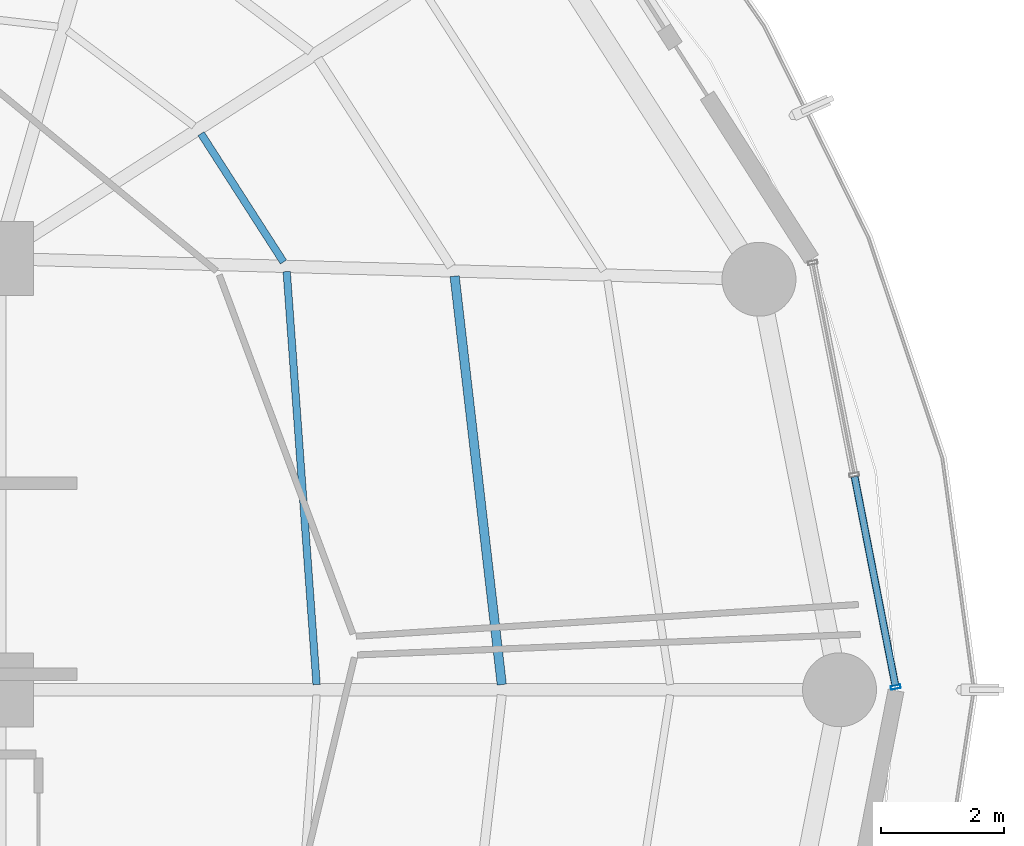
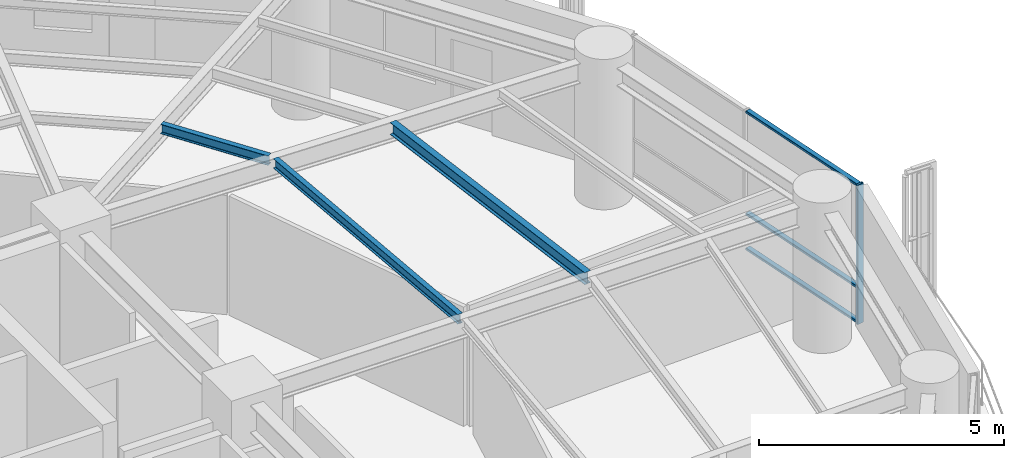
# One storey, part 13 of 28: 4 members, 3 beams, 1 element without a shape of its own.
"""IFC4 building model written with IfcOpenShell, lengths in metres."""

from ifc_helpers import new_model, si_unit, direction, frame, origin, origin_2d, place, context, subcontext, project, spatial, hollow_rectangle, i_section, extrude, material, layer, layer_set, material_profile, profile_set, type_object, element, aggregate, save


model = new_model("IFC4")

# Units and contexts
model_context = context("Model", 3, precision=1e-05, world=origin(), true_north=direction((0.0, 1.0)))
body_context = subcontext(model_context, "Body", "Model", "MODEL_VIEW")
ifc_project = project(units=[si_unit("LENGTHUNIT", "METRE"), si_unit("AREAUNIT", "SQUARE_METRE"), si_unit("VOLUMEUNIT", "CUBIC_METRE"), si_unit("PLANEANGLEUNIT", "RADIAN"), si_unit("MASSUNIT", "GRAM", prefix="KILO")], contexts=[model_context])

# Site, building, storey
site_placement = place(None, origin())
site = spatial("IfcSite", under=ifc_project, at=site_placement, CompositionType="ELEMENT")
building_placement = place(site_placement, origin())
building = spatial("IfcBuilding", under=site, at=building_placement, Name="Kelanora Arch Commons", CompositionType="ELEMENT")
storey_placement = place(building_placement, frame((0.0, 0.0, 158.10009765625)))
storey = spatial("IfcBuildingStorey", under=building, at=storey_placement, Name="L40", CompositionType="ELEMENT", Elevation=158.10009765625)

# Beams
ifc_material_1 = material(Name="Steel S355", Category="steel")
ifc_material_profile_1 = material_profile(ifc_material_1, i_section(OverallWidth=0.14990234375, OverallDepth=0.300048828125, WebThickness=0.007080078125, FlangeThickness=0.0107421875, FilletRadius=0.014892578125, at=origin_2d()), Name="IPE300")
ifc_profile_set_1 = profile_set([ifc_material_profile_1], Name="Steel S355")
beam_type_1 = type_object("IfcBeamType", Name="BM-JST-01", PredefinedType="JOIST", material=ifc_profile_set_1)
beam_1_placement = place(storey_placement, frame((90.1982421875, 58.08447265625, 3.33984375), z_axis=(-0.114667159005, 0.9934039675, 0.0), x_axis=(-0.9934039675, -0.114667159005, 0.0)))
element("IfcBeam", 1, at=beam_1_placement, inside=storey, type_object=beam_type_1, Name="Secondary Chord Joist BJB-00 L40", PredefinedType="JOIST", context=body_context, shape_type="SweptSolid", body=[
    extrude(i_section(OverallWidth=0.14990234375, OverallDepth=0.300048828125, WebThickness=0.007080078125, FlangeThickness=0.0107421875, FilletRadius=0.014892578125, at=origin_2d()), origin(), (0.0, 0.0, 1.0), 6.672607421875),
])
ifc_material_profile_2 = material_profile(ifc_material_1, i_section(OverallWidth=0.1201171875, OverallDepth=0.239990234375, WebThickness=0.006103515625, FlangeThickness=0.009765625, FilletRadius=0.014892578125, at=origin_2d()), Name="IPE240")
ifc_profile_set_2 = profile_set([ifc_material_profile_2], Name="Steel S355")
beam_type_2 = type_object("IfcBeamType", Name="BM-JST-02", PredefinedType="JOIST", material=ifc_profile_set_2)
beam_2_placement = place(storey_placement, frame((87.1923828125, 58.084716796875, 3.369873046875), z_axis=(-0.072117123738, 0.997396170267, 0.0), x_axis=(-0.997396170267, -0.072117123738, 0.0)))
element("IfcBeam", 2, at=beam_2_placement, inside=storey, type_object=beam_type_2, Name="Secondary Chord Joist BJA-00 L40", PredefinedType="JOIST", context=body_context, shape_type="SweptSolid", body=[
    extrude(i_section(OverallWidth=0.1201171875, OverallDepth=0.239990234375, WebThickness=0.006103515625, FlangeThickness=0.009765625, FilletRadius=0.014892578125, at=origin_2d()), origin(), (0.0, 0.0, 1.0), 6.719970703125),
])
beam_3_placement = place(storey_placement, frame((86.655517578125, 64.943359375, 3.369873046875), z_axis=(-0.540583174025, 0.841290575224, 0.0), x_axis=(-0.841290575224, -0.540583174025, 0.0)))
element("IfcBeam", 3, at=beam_3_placement, inside=storey, type_object=beam_type_2, Name="Secondary Chord Joist BJA-02 L40", PredefinedType="JOIST", context=body_context, shape_type="SweptSolid", body=[
    extrude(i_section(OverallWidth=0.1201171875, OverallDepth=0.239990234375, WebThickness=0.006103515625, FlangeThickness=0.009765625, FilletRadius=0.014892578125, at=origin_2d()), origin(), (0.0, 0.0, 1.0), 2.476318359375),
])

# Curtain wall, members
ifc_material_2 = material(Name="Terracotta ceramic-fritted low-E glass and aluminium", Category="masonry")
ifc_layer = layer(ifc_material_2, 0.175048828125)
ifc_layer_set = layer_set([ifc_layer], Name="Terracotta ceramic-fritted low-E glass and aluminium")
curtain_wall_type = type_object("IfcCurtainWallType", Name="CW-SYS-02", PredefinedType="NOTDEFINED", material=ifc_layer_set)
curtain_wall_placement = place(storey_placement, origin())
curtain_wall = element("IfcCurtainWall", 4, at=curtain_wall_placement, inside=storey, type_object=curtain_wall_type, Name="Unitised Curtain Wall L40-B00", PredefinedType="NOTDEFINED")
ifc_material_3 = material(Name="Powder-coated aluminium terracotta", Category="masonry")
ifc_material_profile_3 = material_profile(ifc_material_3, hollow_rectangle(XDim=0.159912109375, YDim=0.06005859375, WallThickness=0.0048828125, InnerFilletRadius=0.0048828125, OuterFilletRadius=0.010009765625, at=origin_2d()), Name="CWM160x60")
ifc_profile_set_3 = profile_set([ifc_material_profile_3], Name="Powder-coated aluminium terracotta")
member_type_1 = type_object("IfcMemberType", Name="CWM-STD", PredefinedType="MULLION", material=ifc_profile_set_3)
member_1_placement = place(storey_placement, frame((96.59130859375, 58.044189453125, 0.0), z_axis=(0.0, 0.0, 1.0), x_axis=(-0.981452557718, -0.191705182375, 0.0)))
member_1 = element("IfcMember", 5, at=member_1_placement, type_object=member_type_1, Name="CW-02 mullion 1", PredefinedType="MULLION", context=body_context, shape_type="SweptSolid", body=[
    extrude(hollow_rectangle(XDim=0.159912109375, YDim=0.06005859375, WallThickness=0.0048828125, InnerFilletRadius=0.0048828125, OuterFilletRadius=0.010009765625, at=origin_2d()), origin(), (0.0, 0.0, 1.0), 3.474853515625),
])
ifc_material_profile_4 = material_profile(ifc_material_3, hollow_rectangle(XDim=0.1201171875, YDim=0.06005859375, WallThickness=0.0048828125, InnerFilletRadius=0.0048828125, OuterFilletRadius=0.010009765625, at=origin_2d()), Name="CWT120x60")
ifc_profile_set_4 = profile_set([ifc_material_profile_4], Name="Powder-coated aluminium terracotta")
member_type_2 = type_object("IfcMemberType", Name="CWT-STD", PredefinedType="USERDEFINED", material=ifc_profile_set_4)
member_2_placement = place(storey_placement, frame((96.585693359375, 58.073486328125, 0.02978515625), z_axis=(-0.191718206447, 0.981450013662, 0.0), x_axis=(-0.981450013662, -0.191718206447, 0.0)))
member_2 = element("IfcMember", 6, at=member_2_placement, type_object=member_type_2, Name="CW-02 transom 1.1", ObjectType="TRANSOM", PredefinedType="USERDEFINED", context=body_context, shape_type="SweptSolid", body=[
    extrude(hollow_rectangle(XDim=0.1201171875, YDim=0.06005859375, WallThickness=0.0048828125, InnerFilletRadius=0.0048828125, OuterFilletRadius=0.010009765625, at=origin_2d()), origin(), (0.0, 0.0, 1.0), 3.44970703125),
])
member_3_placement = place(storey_placement, frame((96.585693359375, 58.073486328125, 0.89990234375), z_axis=(-0.191718206447, 0.981450013662, 0.0), x_axis=(-0.981450013662, -0.191718206447, 0.0)))
member_3 = element("IfcMember", 7, at=member_3_placement, type_object=member_type_2, Name="CW-02 transom 1.2", ObjectType="TRANSOM", PredefinedType="USERDEFINED", context=body_context, shape_type="SweptSolid", body=[
    extrude(hollow_rectangle(XDim=0.1201171875, YDim=0.06005859375, WallThickness=0.0048828125, InnerFilletRadius=0.0048828125, OuterFilletRadius=0.010009765625, at=origin_2d()), origin(), (0.0, 0.0, 1.0), 3.44970703125),
])
member_4_placement = place(storey_placement, frame((96.585693359375, 58.073486328125, 3.44482421875), z_axis=(-0.191718206447, 0.981450013662, 0.0), x_axis=(-0.981450013662, -0.191718206447, 0.0)))
member_4 = element("IfcMember", 8, at=member_4_placement, type_object=member_type_2, Name="CW-02 transom 1.3", ObjectType="TRANSOM", PredefinedType="USERDEFINED", context=body_context, shape_type="SweptSolid", body=[
    extrude(hollow_rectangle(XDim=0.1201171875, YDim=0.06005859375, WallThickness=0.0048828125, InnerFilletRadius=0.0048828125, OuterFilletRadius=0.010009765625, at=origin_2d()), origin(), (0.0, 0.0, 1.0), 3.44970703125),
])
aggregate(curtain_wall, [member_1, member_2, member_3, member_4])

save(model, "model.ifc")
